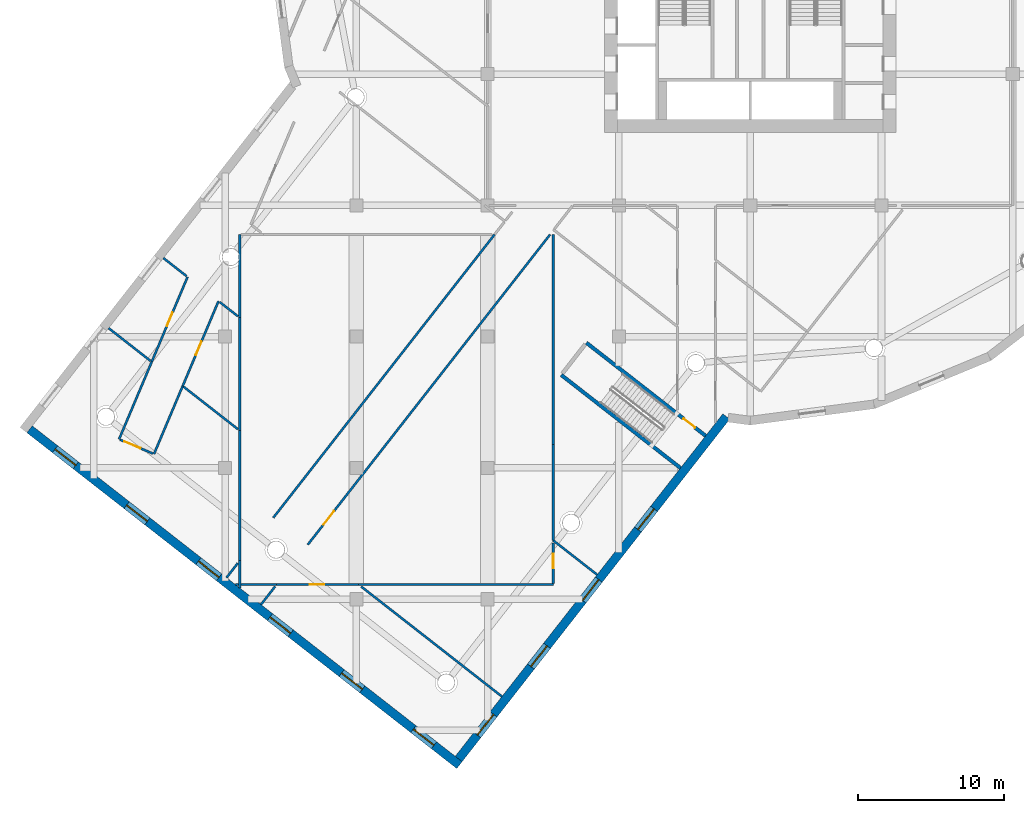
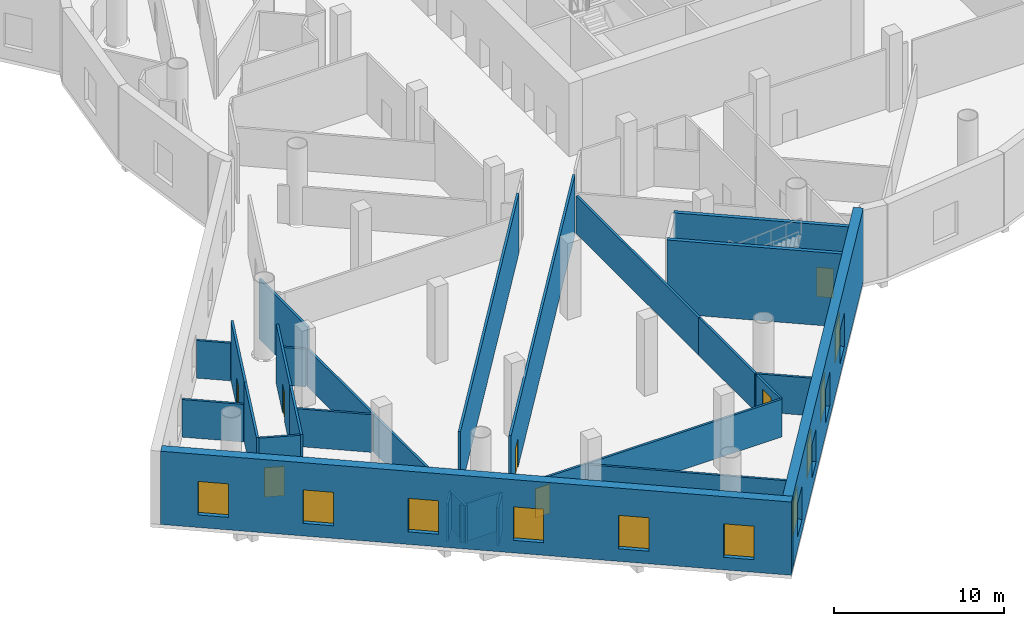
# One storey, part 4 of 23: 29 walls, 10 windows, 7 doors, 17 openings.
"""IFC4 building model written with IfcOpenShell, lengths in metres."""

import ifcopenshell
import ifcopenshell.guid

model = None  # the IFC model being written
_history = None  # IfcOwnerHistory: only IFC2X3 demands one
_inside = {}  # id of a spatial element -> (the spatial element, [elements in it])
_under = {}  # id of a project, library or spatial element -> (it, [spatial elements below it])
_declared = {}  # id of a project -> (the project, [libraries it declares])
_typed = {}  # id of a type object -> (the type object, [elements of that type])
_made_of = {}  # id of a material, layer set ... -> (it, [elements and type objects made of it])


def new_model(schema):
    """Start an empty IFC model of exactly this schema.

    Asked for "IFC4X3", IfcOpenShell would pick the latest addendum, in which some entities
    have other attributes; the version numbers below select the first issue.
    IFC2X3 requires an IfcOwnerHistory on every rooted entity: one is made here for all.
    """
    global model, _history
    if schema == "IFC4X3":
        model = ifcopenshell.file(schema_version=(4, 3, 0, 0))
    else:
        model = ifcopenshell.file(schema=schema)
    _inside.clear()
    _under.clear()
    _declared.clear()
    _typed.clear()
    _made_of.clear()
    _history = None
    if model.schema == "IFC2X3":
        org = make("IfcOrganization", Name="unknown")
        user = make(
            "IfcPersonAndOrganization",
            ThePerson=make("IfcPerson", FamilyName="unknown"),
            TheOrganization=org,
        )
        app = make(
            "IfcApplication",
            ApplicationDeveloper=org,
            Version="unknown",
            ApplicationFullName="unknown",
            ApplicationIdentifier="unknown",
        )
        _history = make(
            "IfcOwnerHistory",
            OwningUser=user,
            OwningApplication=app,
            ChangeAction="ADDED",
            CreationDate=0,
        )
    return model


def make(cls, **values):
    """One entity of the class cls with the attributes given. An attribute that is None is left unset."""
    return model.create_entity(
        cls, **{name: value for name, value in values.items() if value is not None}
    )


def rooted(cls, **values):
    """An entity with a GlobalId (a new one), such as an element, a storey or a relation."""
    return make(cls, GlobalId=ifcopenshell.guid.new(), OwnerHistory=_history, **values)


def si_unit(unit_type, name, prefix=None):
    """IfcSIUnit, for example si_unit("LENGTHUNIT", "METRE", prefix="MILLI")."""
    return make("IfcSIUnit", UnitType=unit_type, Prefix=prefix, Name=name)


def assignment(units):
    """IfcUnitAssignment: the units of a project."""
    return None if units is None else make("IfcUnitAssignment", Units=units)


def point(xyz):
    """IfcCartesianPoint."""
    return None if xyz is None else make("IfcCartesianPoint", Coordinates=xyz)


def direction(xyz):
    """IfcDirection."""
    return None if xyz is None else make("IfcDirection", DirectionRatios=xyz)


def frame(location, z_axis=None, x_axis=None):
    """IfcAxis2Placement3D, a coordinate frame: its origin and axes. An axis left out is left unset."""
    return make(
        "IfcAxis2Placement3D",
        Location=point(location),
        Axis=direction(z_axis),
        RefDirection=direction(x_axis),
    )


def frame_2d(location, x_axis=None):
    """IfcAxis2Placement2D, a coordinate frame in the plane: its origin and x axis."""
    return make(
        "IfcAxis2Placement2D", Location=point(location), RefDirection=direction(x_axis)
    )


def origin():
    """The frame at (0, 0, 0) with its axes left unset."""
    return frame((0.0, 0.0, 0.0))


def place(relative_to, where):
    """IfcLocalPlacement: puts the frame where relative to a parent placement (None: the world)."""
    return make(
        "IfcLocalPlacement", PlacementRelTo=relative_to, RelativePlacement=where
    )


def context(
    kind, dimensions, precision=None, world=None, true_north=None, identifier=None
):
    """IfcGeometricRepresentationContext, for example the 3D "Model" context."""
    return make(
        "IfcGeometricRepresentationContext",
        ContextIdentifier=identifier,
        ContextType=kind,
        CoordinateSpaceDimension=dimensions,
        Precision=precision,
        WorldCoordinateSystem=world,
        TrueNorth=true_north,
    )


def subcontext(parent, identifier, kind, view, scale=None):
    """IfcGeometricRepresentationSubContext, for example "Body" below "Model"."""
    return make(
        "IfcGeometricRepresentationSubContext",
        ContextIdentifier=identifier,
        ContextType=kind,
        ParentContext=parent,
        TargetScale=scale,
        TargetView=view,
    )


def project(units=None, contexts=None):
    """IfcProject with its units and contexts."""
    return rooted(
        "IfcProject",
        Name="project",
        RepresentationContexts=contexts,
        UnitsInContext=assignment(units),
    )


def spatial(cls, under=None, at=None, **own):
    """A site, building, storey or space (cls), placed at a placement, below another one or the project."""
    s = rooted(cls, ObjectPlacement=at, **own)
    if under is not None:
        _under.setdefault(under.id(), (under, []))[1].append(s)
    return s


def profile(cls, at=None, kind="AREA", **sizes):
    """A parametric profile (cls). Its sizes go by their IFC names, for example OverallWidth=200.0."""
    return make(cls, ProfileType=kind, Position=at, **sizes)


def rectangle(**sizes):
    """IfcRectangleProfileDef."""
    return profile("IfcRectangleProfileDef", **sizes)


def extrude(swept, where, along, depth):
    """IfcExtrudedAreaSolid: the profile swept, set in the frame where, extruded along a direction by depth."""
    return make(
        "IfcExtrudedAreaSolid",
        SweptArea=swept,
        Position=where,
        ExtrudedDirection=direction(along),
        Depth=depth,
    )


def shape(context_of_items, identifier, shape_type, items):
    """IfcShapeRepresentation: the items that make up one representation, for example the "Body"."""
    return make(
        "IfcShapeRepresentation",
        ContextOfItems=context_of_items,
        RepresentationIdentifier=identifier,
        RepresentationType=shape_type,
        Items=items,
    )


def material(Name=None, Category=None):
    """IfcMaterial."""
    return make("IfcMaterial", Name=Name, Category=Category)


def layer(
    of_material, thickness, ventilated=None, Name=None, Category=None, Priority=None
):
    """IfcMaterialLayer: one layer of a wall or slab, of a material (None: an air gap)."""
    return make(
        "IfcMaterialLayer",
        Material=of_material,
        LayerThickness=thickness,
        IsVentilated=ventilated,
        Name=Name,
        Category=Category,
        Priority=Priority,
    )


def layer_set(layers, Name=None):
    """IfcMaterialLayerSet."""
    return make("IfcMaterialLayerSet", MaterialLayers=layers, LayerSetName=Name)


def made_of(thing, what):
    """Note that an element or type object is made of a material, layer set ...; save() writes the relation."""
    if what is not None:
        _made_of.setdefault(what.id(), (what, []))[1].append(thing)
    return thing


def type_object(cls, material=None, **own):
    """A type object (cls), such as IfcWallType, which elements share."""
    return made_of(rooted(cls, **own), material)


def element(
    cls,
    number,
    at=None,
    inside=None,
    cuts=None,
    type_object=None,
    material=None,
    context=None,
    identifier="Body",
    shape_type=None,
    held_by="IfcProductDefinitionShape",
    body=None,
    shapes=None,
    **own,
):
    """One element of the class cls, such as IfcWall. Its Tag is "e" and its number.

    at: its placement. inside: the storey or other place that contains it. cuts: it is an
    opening in that element (IfcRelVoidsElement). A single representation is given by context,
    identifier, shape_type and body (its items); several are given by shapes. held_by: the class
    of the entity that holds the representations. save() writes the other relations.
    """
    e = rooted(cls, Tag="e%d" % number, ObjectPlacement=at, **own)
    if body is not None:
        shapes = [shape(context, identifier, shape_type, body)]
    if shapes is not None:
        e.Representation = make(held_by, Representations=shapes)
    if inside is not None:
        _inside.setdefault(inside.id(), (inside, []))[1].append(e)
    if cuts is not None:
        rooted(
            "IfcRelVoidsElement", RelatingBuildingElement=cuts, RelatedOpeningElement=e
        )
    if type_object is not None:
        _typed.setdefault(type_object.id(), (type_object, []))[1].append(e)
    return made_of(e, material)


def fill(opening, filler):
    """IfcRelFillsElement: the door or window that sits in an opening."""
    return rooted(
        "IfcRelFillsElement",
        RelatingOpeningElement=opening,
        RelatedBuildingElement=filler,
    )


def aggregate(whole, parts):
    """IfcRelAggregates: a whole, such as a stair, and the parts it consists of."""
    return rooted("IfcRelAggregates", RelatingObject=whole, RelatedObjects=parts)


def save(model, path):
    """Write the relations noted so far, then the file.

    IfcRelAggregates (storeys below a building ...), IfcRelContainedInSpatialStructure (elements
    in a storey), IfcRelDefinesByType, IfcRelAssociatesMaterial and IfcRelDeclares: one each for
    every whole, place, type object, material and project.
    """
    for whole, parts in _under.values():
        aggregate(whole, parts)
    for where, things in _inside.values():
        rooted(
            "IfcRelContainedInSpatialStructure",
            RelatedElements=things,
            RelatingStructure=where,
        )
    for kind, things in _typed.values():
        rooted("IfcRelDefinesByType", RelatedObjects=things, RelatingType=kind)
    for what, things in _made_of.values():
        rooted("IfcRelAssociatesMaterial", RelatedObjects=things, RelatingMaterial=what)
    for by, libraries in _declared.values():
        rooted("IfcRelDeclares", RelatingContext=by, RelatedDefinitions=libraries)
    model.write(path)


model = new_model("IFC4")

# Units and contexts
model_context = context("Model", 3, precision=1e-05, world=origin(), true_north=direction((0.0, 1.0)))
body_context = subcontext(model_context, "Body", "Model", "MODEL_VIEW")
ifc_project = project(units=[si_unit("LENGTHUNIT", "METRE"), si_unit("AREAUNIT", "SQUARE_METRE"), si_unit("VOLUMEUNIT", "CUBIC_METRE"), si_unit("PLANEANGLEUNIT", "RADIAN"), si_unit("MASSUNIT", "GRAM", prefix="KILO")], contexts=[model_context])

# Site, building, storey
site_placement = place(None, origin())
site = spatial("IfcSite", under=ifc_project, at=site_placement, CompositionType="ELEMENT")
building_placement = place(site_placement, origin())
building = spatial("IfcBuilding", under=site, at=building_placement, Name="Tarsis Ring Headquarters", CompositionType="ELEMENT")
storey_placement = place(building_placement, frame((0.0, 0.0, 14.0)))
storey = spatial("IfcBuildingStorey", under=building, at=storey_placement, Name="L02", CompositionType="ELEMENT", Elevation=14.0)

# Walls
ifc_material_1 = material(Name="Plasterboard partition")
ifc_layer_1 = layer(ifc_material_1, 0.14990234375)
ifc_layer_set_1 = layer_set([ifc_layer_1], Name="PO-PW150")
wall_type_1 = type_object("IfcWallType", Name="PO-PW150", PredefinedType="PARTITIONING", material=ifc_layer_set_1)
wall_1_placement = place(storey_placement, frame((-13.5, -34.38720703125, 0.0), z_axis=(0.0, 0.0, 1.0), x_axis=(0.0, 1.0, 0.0)))
element("IfcWall", 1, at=wall_1_placement, inside=storey, type_object=wall_type_1, Name="L02 partition wall 9", PredefinedType="PARTITIONING", context=body_context, shape_type="SweptSolid", body=[
    extrude(rectangle(XDim=14.38720703125, YDim=0.14990234375, at=frame_2d((7.193603515625, 0.0))), origin(), (0.0, 0.0, 1.0), 2.699951171875),
])
wall_2_placement = place(storey_placement, frame((-26.84521484375, -44.0, 0.0), z_axis=(0.0, 0.0, 1.0), x_axis=(1.0, 0.0, 0.0)))
element("IfcWall", 2, at=wall_2_placement, inside=storey, type_object=wall_type_1, Name="L02 partition wall 12", PredefinedType="PARTITIONING", context=body_context, shape_type="SweptSolid", body=[
    extrude(rectangle(XDim=13.34521484375, YDim=0.14990234375, at=frame_2d((6.672607421875, 0.0))), origin(), (0.0, 0.0, 1.0), 2.699951171875),
])
wall_3_placement = place(storey_placement, frame((-26.671875, -44.135498046875, 0.0), z_axis=(0.0, 0.0, 1.0), x_axis=(0.788015910121, -0.615654875231, 0.0)))
element("IfcWall", 3, at=wall_3_placement, inside=storey, type_object=wall_type_1, Name="L02 partition wall 17", PredefinedType="PARTITIONING", context=body_context, shape_type="SweptSolid", body=[
    extrude(rectangle(XDim=12.2451171875, YDim=0.14990234375, at=frame_2d((6.12255859375, 0.0))), origin(), (0.0, 0.0, 1.0), 2.699951171875),
])
wall_4_placement = place(storey_placement, frame((-35.0, -33.44091796875, 0.0), z_axis=(0.0, 0.0, 1.0), x_axis=(0.0, -1.0, 0.0)))
element("IfcWall", 4, at=wall_4_placement, inside=storey, type_object=wall_type_1, Name="L02 partition wall 36", PredefinedType="PARTITIONING", context=body_context, shape_type="SweptSolid", body=[
    extrude(rectangle(XDim=8.920654296875, YDim=0.14990234375, at=frame_2d((4.46044921875, 0.0))), origin(), (0.0, 0.0, 1.0), 2.699951171875),
])
wall_5_placement = place(storey_placement, frame((-35.0, -25.699951171875, 0.0), z_axis=(0.0, 0.0, 1.0), x_axis=(0.0, -1.0, 0.0)))
element("IfcWall", 5, at=wall_5_placement, inside=storey, type_object=wall_type_1, Name="L02 partition wall 47", PredefinedType="PARTITIONING", context=body_context, shape_type="SweptSolid", body=[
    extrude(rectangle(XDim=7.740966796875, YDim=0.14990234375, at=frame_2d((3.87060546875, 0.0))), origin(), (0.0, 0.0, 1.0), 2.699951171875),
])
wall_6_placement = place(storey_placement, frame((-13.5, -40.974853515625, 0.0), z_axis=(0.0, 0.0, 1.0), x_axis=(0.0, 1.0, 0.0)))
element("IfcWall", 6, at=wall_6_placement, inside=storey, type_object=wall_type_1, Name="L02 partition wall 55", PredefinedType="PARTITIONING", context=body_context, shape_type="SweptSolid", body=[
    extrude(rectangle(XDim=6.587646484375, YDim=0.14990234375, at=frame_2d((3.2939453125, 0.0))), origin(), (0.0, 0.0, 1.0), 2.699951171875),
])

# Wall, opening, door
wall_7_placement = place(storey_placement, frame((-32.47314453125, -44.0, 0.0), z_axis=(0.0, 0.0, 1.0), x_axis=(1.0, 0.0, 0.0)))
wall_7 = element("IfcWall", 7, at=wall_7_placement, inside=storey, type_object=wall_type_1, Name="L02 partition wall 68", PredefinedType="PARTITIONING", context=body_context, shape_type="SweptSolid", body=[
    extrude(rectangle(XDim=5.6279296875, YDim=0.14990234375, at=frame_2d((2.81396484375, 0.0))), origin(), (0.0, 0.0, 1.0), 2.699951171875),
])
opening_1_placement = place(wall_7_placement, frame((2.2578125, 0.0, 0.0)))
opening_1 = element("IfcOpeningElement", 8, at=opening_1_placement, cuts=wall_7, Name="Opening PO-D1A", PredefinedType="OPENING", context=body_context, shape_type="SweptSolid", body=[
    extrude(rectangle(XDim=1.0, YDim=2.10009765625, at=frame_2d((0.5, 1.050048828125))), frame((0.0, 0.0849609375, 0.0), z_axis=(0.0, -1.0, 0.0), x_axis=(1.0, 0.0, 0.0)), (0.0, 0.0, 1.0), 0.169921875),
])
ifc_material_2 = material(Name="Timber door", Category="wood")
door_type_1 = type_object("IfcDoorType", Name="PO-D1000-UNRATED", OperationType="NOTDEFINED", PredefinedType="DOOR", material=ifc_material_2)
door_1_placement = place(opening_1_placement, origin())
door_1 = element("IfcDoor", 9, at=door_1_placement, inside=storey, type_object=door_type_1, Name="Cloakroom door", OperationType="SINGLE_SWING_RIGHT", OverallHeight=2.10009765625, OverallWidth=1.0, PredefinedType="DOOR", context=body_context, shape_type="SweptSolid", body=[
    extrude(rectangle(XDim=1.0, YDim=2.10009765625, at=frame_2d((0.5, 1.050048828125))), frame((0.0, 0.02490234375, 0.0), z_axis=(0.0, -1.0, 0.0), x_axis=(1.0, 0.0, 0.0)), (0.0, 0.0, 1.0), 0.050048828125),
])
fill(opening_1, door_1)

# Walls
wall_8_placement = place(storey_placement, frame((-38.847900390625, -30.4345703125, 0.0), z_axis=(0.0, 0.0, 1.0), x_axis=(0.788003214818, -0.615671124414, 0.0)))
element("IfcWall", 10, at=wall_8_placement, inside=storey, type_object=wall_type_1, Name="L02 partition wall 75", PredefinedType="PARTITIONING", context=body_context, shape_type="SweptSolid", body=[
    extrude(rectangle(XDim=4.72314453125, YDim=0.14990234375, at=frame_2d((2.361572265625, 0.0))), origin(), (0.0, 0.0, 1.0), 2.699951171875),
])
wall_9_placement = place(storey_placement, frame((-13.5, -40.974853515625, 0.0), z_axis=(0.0, 0.0, 1.0), x_axis=(0.788046708317, -0.615615452624, 0.0)))
element("IfcWall", 11, at=wall_9_placement, inside=storey, type_object=wall_type_1, Name="L02 partition wall 94", PredefinedType="PARTITIONING", context=body_context, shape_type="SweptSolid", body=[
    extrude(rectangle(XDim=3.8115234375, YDim=0.14990234375, at=frame_2d((1.90576171875, 0.0))), origin(), (0.0, 0.0, 1.0), 2.699951171875),
])
wall_10_placement = place(storey_placement, frame((-43.989501953125, -26.41748046875, 0.0), z_axis=(0.0, 0.0, 1.0), x_axis=(0.787985854962, -0.615693342809, 0.0)))
element("IfcWall", 12, at=wall_10_placement, inside=storey, type_object=wall_type_1, Name="L02 partition wall 95", PredefinedType="PARTITIONING", context=body_context, shape_type="SweptSolid", body=[
    extrude(rectangle(XDim=3.651611328125, YDim=0.14990234375, at=frame_2d((1.82568359375, 0.0))), origin(), (0.0, 0.0, 1.0), 2.699951171875),
])

# Wall, opening, door
wall_11_placement = place(storey_placement, frame((-13.5, -43.919921875, 0.0), z_axis=(0.0, 0.0, 1.0), x_axis=(0.0, 1.0, 0.0)))
wall_11 = element("IfcWall", 13, at=wall_11_placement, inside=storey, type_object=wall_type_1, Name="L02 partition wall 98", PredefinedType="PARTITIONING", context=body_context, shape_type="SweptSolid", body=[
    extrude(rectangle(XDim=2.78515625, YDim=0.14990234375, at=frame_2d((1.392578125, 0.0))), origin(), (0.0, 0.0, 1.0), 2.699951171875),
])
opening_2_placement = place(wall_11_placement, frame((1.046630859375, 0.0, 0.0)))
opening_2 = element("IfcOpeningElement", 14, at=opening_2_placement, cuts=wall_11, Name="Opening PO-D1A", PredefinedType="OPENING", context=body_context, shape_type="SweptSolid", body=[
    extrude(rectangle(XDim=1.0, YDim=2.10009765625, at=frame_2d((0.5, 1.050048828125))), frame((0.0, 0.0849609375, 0.0), z_axis=(0.0, -1.0, 0.0), x_axis=(1.0, 0.0, 0.0)), (0.0, 0.0, 1.0), 0.169921875),
])
door_2_placement = place(opening_2_placement, origin())
door_2 = element("IfcDoor", 15, at=door_2_placement, inside=storey, type_object=door_type_1, Name="Conference foyer door", OperationType="SINGLE_SWING_LEFT", OverallHeight=2.10009765625, OverallWidth=1.0, PredefinedType="DOOR", context=body_context, shape_type="SweptSolid", body=[
    extrude(rectangle(XDim=1.0, YDim=2.10009765625, at=frame_2d((0.5, 1.050048828125))), frame((0.0, 0.02490234375, 0.0), z_axis=(0.0, -1.0, 0.0), x_axis=(1.0, 0.0, 0.0)), (0.0, 0.0, 1.0), 0.050048828125),
])
fill(opening_2, door_2)

# Walls
wall_12_placement = place(storey_placement, frame((-35.291259765625, -44.0, 0.0), z_axis=(0.0, 0.0, 1.0), x_axis=(1.0, 0.0, 0.0)))
element("IfcWall", 16, at=wall_12_placement, inside=storey, type_object=wall_type_1, Name="L02 partition wall 102", PredefinedType="PARTITIONING", context=body_context, shape_type="SweptSolid", body=[
    extrude(rectangle(XDim=2.818115234375, YDim=0.14990234375, at=frame_2d((1.4091796875, 0.0))), origin(), (0.0, 0.0, 1.0), 2.699951171875),
])
wall_13_placement = place(storey_placement, frame((-38.639892578125, -22.856201171875, 0.0), z_axis=(0.0, 0.0, 1.0), x_axis=(-0.787998760084, 0.615676826026, 0.0)))
element("IfcWall", 17, at=wall_13_placement, inside=storey, type_object=wall_type_1, Name="L02 partition wall 121", PredefinedType="PARTITIONING", context=body_context, shape_type="SweptSolid", body=[
    extrude(rectangle(XDim=2.023193359375, YDim=0.14990234375, at=frame_2d((1.01171875, 0.0))), origin(), (0.0, 0.0, 1.0), 2.699951171875),
])
wall_14_placement = place(storey_placement, frame((-35.0, -42.361572265625, 0.0), z_axis=(0.0, 0.0, 1.0), x_axis=(0.0, -1.0, 0.0)))
element("IfcWall", 18, at=wall_14_placement, inside=storey, type_object=wall_type_1, Name="L02 partition wall 131", PredefinedType="PARTITIONING", context=body_context, shape_type="SweptSolid", body=[
    extrude(rectangle(XDim=1.865966796875, YDim=0.14990234375, at=frame_2d((0.93310546875, 0.0))), origin(), (0.0, 0.0, 1.0), 2.699951171875),
])
wall_15_placement = place(storey_placement, frame((-35.1259765625, -25.6015625, 0.0), z_axis=(0.0, 0.0, 1.0), x_axis=(-0.788040710771, 0.615623129981, 0.0)))
element("IfcWall", 19, at=wall_15_placement, inside=storey, type_object=wall_type_1, Name="L02 partition wall 132", PredefinedType="PARTITIONING", context=body_context, shape_type="SweptSolid", body=[
    extrude(rectangle(XDim=1.5859375, YDim=0.14990234375, at=frame_2d((0.79296875, 0.0))), origin(), (0.0, 0.0, 1.0), 2.699951171875),
])
wall_16_placement = place(storey_placement, frame((-32.571533203125, -44.1259765625, 0.0), z_axis=(0.0, 0.0, 1.0), x_axis=(-0.615656073358, -0.788014974057, 0.0)))
element("IfcWall", 20, at=wall_16_placement, inside=storey, type_object=wall_type_1, Name="L02 partition wall 136", PredefinedType="PARTITIONING", context=body_context, shape_type="SweptSolid", body=[
    extrude(rectangle(XDim=1.5751953125, YDim=0.14990234375, at=frame_2d((0.78759765625, 0.0))), origin(), (0.0, 0.0, 1.0), 2.699951171875),
])
wall_17_placement = place(storey_placement, frame((-35.9052734375, -43.520263671875, 0.0), z_axis=(0.0, 0.0, 1.0), x_axis=(0.615628885868, 0.788036214197, 0.0)))
element("IfcWall", 21, at=wall_17_placement, inside=storey, type_object=wall_type_1, Name="L02 partition wall 146", PredefinedType="PARTITIONING", context=body_context, shape_type="SweptSolid", body=[
    extrude(rectangle(XDim=1.25048828125, YDim=0.14990234375, at=frame_2d((0.625244140625, 0.0))), origin(), (0.0, 0.0, 1.0), 2.699951171875),
])

# Wall, opening, door
ifc_layer_2 = layer(ifc_material_1, 0.14990234375)
ifc_layer_set_2 = layer_set([ifc_layer_2], Name="PO-PW150R-4283")
wall_type_2 = type_object("IfcWallType", Name="PO-PW150R-4283", PredefinedType="PARTITIONING", material=ifc_layer_set_2)
wall_18_placement = place(storey_placement, frame((-13.72216796875, -20.0, 0.0), z_axis=(0.0, 0.0, 1.0), x_axis=(-0.61565843809, -0.788013126546, 0.0)))
wall_18 = element("IfcWall", 22, at=wall_18_placement, inside=storey, type_object=wall_type_2, Name="L02 partition wall 1", PredefinedType="PARTITIONING", context=body_context, shape_type="SweptSolid", body=[
    extrude(rectangle(XDim=26.98583984375, YDim=0.14990234375, at=frame_2d((13.492919921875, 0.0))), origin(), (0.0, 0.0, 1.0), 4.282958984375),
])
opening_3_placement = place(wall_18_placement, frame((24.048583984375, 0.0, 0.0)))
opening_3 = element("IfcOpeningElement", 23, at=opening_3_placement, cuts=wall_18, Name="Opening PO-D2", PredefinedType="OPENING", context=body_context, shape_type="SweptSolid", body=[
    extrude(rectangle(XDim=1.199951171875, YDim=2.10009765625, at=frame_2d((0.60009765625, 1.050048828125))), frame((0.0, 0.0849609375, 0.0), z_axis=(0.0, -1.0, 0.0), x_axis=(1.0, 0.0, 0.0)), (0.0, 0.0, 1.0), 0.169921875),
])
door_type_2 = type_object("IfcDoorType", Name="PO-D1200", OperationType="NOTDEFINED", PredefinedType="DOOR", material=ifc_material_2)
door_3_placement = place(opening_3_placement, origin())
door_3 = element("IfcDoor", 24, at=door_3_placement, inside=storey, type_object=door_type_2, Name="Hall roof plant and rigging gallery door", OperationType="SINGLE_SWING_RIGHT", OverallHeight=2.10009765625, OverallWidth=1.199951171875, PredefinedType="DOOR", context=body_context, shape_type="SweptSolid", body=[
    extrude(rectangle(XDim=1.199951171875, YDim=2.10009765625, at=frame_2d((0.60009765625, 1.050048828125))), frame((0.0, 0.02490234375, 0.0), z_axis=(0.0, -1.0, 0.0), x_axis=(1.0, 0.0, 0.0)), (0.0, 0.0, 1.0), 0.050048828125),
])
fill(opening_3, door_3)

# Wall
wall_19_placement = place(storey_placement, frame((-32.698974609375, -39.41650390625, 0.0), z_axis=(0.0, 0.0, 1.0), x_axis=(0.615657501423, 0.788013858344, 0.0)))
element("IfcWall", 25, at=wall_19_placement, inside=storey, type_object=wall_type_2, Name="L02 partition wall 2", PredefinedType="PARTITIONING", context=body_context, shape_type="SweptSolid", body=[
    extrude(rectangle(XDim=24.639892578125, YDim=0.14990234375, at=frame_2d((12.31982421875, 0.0))), origin(), (0.0, 0.0, 1.0), 4.282958984375),
])

# Wall, opening, door
wall_20_placement = place(storey_placement, frame((-36.45458984375, -24.5634765625, 0.0), z_axis=(0.0, 0.0, 1.0), x_axis=(-0.388732280045, -0.921350755387, 0.0)))
wall_20 = element("IfcWall", 26, at=wall_20_placement, inside=storey, type_object=wall_type_2, Name="L02 partition wall 58", PredefinedType="PARTITIONING", context=body_context, shape_type="SweptSolid", body=[
    extrude(rectangle(XDim=6.31884765625, YDim=0.14990234375, at=frame_2d((3.159423828125, 0.0))), origin(), (0.0, 0.0, 1.0), 4.282958984375),
])
opening_4_placement = place(wall_20_placement, frame((3.0, 0.0, 0.0)))
opening_4 = element("IfcOpeningElement", 27, at=opening_4_placement, cuts=wall_20, Name="Opening PO-D1", PredefinedType="OPENING", context=body_context, shape_type="SweptSolid", body=[
    extrude(rectangle(XDim=1.0, YDim=2.10009765625, at=frame_2d((0.5, 1.050048828125))), frame((0.0, 0.0849609375, 0.0), z_axis=(0.0, -1.0, 0.0), x_axis=(1.0, 0.0, 0.0)), (0.0, 0.0, 1.0), 0.169921875),
])
door_type_3 = type_object("IfcDoorType", Name="PO-D1000", OperationType="NOTDEFINED", PredefinedType="DOOR", material=ifc_material_2)
door_4_placement = place(opening_4_placement, origin())
door_4 = element("IfcDoor", 28, at=door_4_placement, inside=storey, type_object=door_type_3, Name="Cloakroom door", OperationType="SINGLE_SWING_RIGHT", OverallHeight=2.10009765625, OverallWidth=1.0, PredefinedType="DOOR", context=body_context, shape_type="SweptSolid", body=[
    extrude(rectangle(XDim=1.0, YDim=2.10009765625, at=frame_2d((0.5, 1.050048828125))), frame((0.0, 0.02490234375, 0.0), z_axis=(0.0, -1.0, 0.0), x_axis=(1.0, 0.0, 0.0)), (0.0, 0.0, 1.0), 0.050048828125),
])
fill(opening_4, door_4)

wall_21_placement = place(storey_placement, frame((-41.033447265625, -28.727294921875, 0.0), z_axis=(0.0, 0.0, 1.0), x_axis=(0.388765078219, 0.921336916637, 0.0)))
wall_21 = element("IfcWall", 29, at=wall_21_placement, inside=storey, type_object=wall_type_2, Name="L02 partition wall 59", PredefinedType="PARTITIONING", context=body_context, shape_type="SweptSolid", body=[
    extrude(rectangle(XDim=6.31884765625, YDim=0.14990234375, at=frame_2d((3.159423828125, 0.0))), origin(), (0.0, 0.0, 1.0), 4.282958984375),
])
opening_5_placement = place(wall_21_placement, frame((2.667236328125, 0.0, 0.0)))
opening_5 = element("IfcOpeningElement", 30, at=opening_5_placement, cuts=wall_21, Name="Opening PO-D1", PredefinedType="OPENING", context=body_context, shape_type="SweptSolid", body=[
    extrude(rectangle(XDim=1.0, YDim=2.10009765625, at=frame_2d((0.5, 1.050048828125))), frame((0.0, 0.0849609375, 0.0), z_axis=(0.0, -1.0, 0.0), x_axis=(1.0, 0.0, 0.0)), (0.0, 0.0, 1.0), 0.169921875),
])
door_5_placement = place(opening_5_placement, origin())
door_5 = element("IfcDoor", 31, at=door_5_placement, inside=storey, type_object=door_type_3, Name="Cloakroom door", OperationType="SINGLE_SWING_LEFT", OverallHeight=2.10009765625, OverallWidth=1.0, PredefinedType="DOOR", context=body_context, shape_type="SweptSolid", body=[
    extrude(rectangle(XDim=1.0, YDim=2.10009765625, at=frame_2d((0.5, 1.050048828125))), frame((0.0, 0.02490234375, 0.0), z_axis=(0.0, -1.0, 0.0), x_axis=(1.0, 0.0, 0.0)), (0.0, 0.0, 1.0), 0.050048828125),
])
fill(opening_5, door_5)

# Walls
wall_22_placement = place(storey_placement, frame((-43.27392578125, -34.03759765625, 0.0), z_axis=(0.0, 0.0, 1.0), x_axis=(0.388729160138, 0.921352071718, 0.0)))
element("IfcWall", 32, at=wall_22_placement, inside=storey, type_object=wall_type_2, Name="L02 partition wall 64", PredefinedType="PARTITIONING", context=body_context, shape_type="SweptSolid", body=[
    extrude(rectangle(XDim=5.763671875, YDim=0.14990234375, at=frame_2d((2.8818359375, 0.0))), origin(), (0.0, 0.0, 1.0), 4.282958984375),
])
wall_23_placement = place(storey_placement, frame((-35.0, -20.0, 0.0), z_axis=(0.0, 0.0, 1.0), x_axis=(0.0, -1.0, 0.0)))
element("IfcWall", 33, at=wall_23_placement, inside=storey, type_object=wall_type_2, Name="L02 partition wall 66", PredefinedType="PARTITIONING", context=body_context, shape_type="SweptSolid", body=[
    extrude(rectangle(XDim=5.699951171875, YDim=0.14990234375, at=frame_2d((2.85009765625, 0.0))), origin(), (0.0, 0.0, 1.0), 4.282958984375),
])
wall_24_placement = place(storey_placement, frame((-38.910888671875, -30.38525390625, 0.0), z_axis=(0.0, 0.0, 1.0), x_axis=(-0.388749132652, -0.921343644826, 0.0)))
element("IfcWall", 34, at=wall_24_placement, inside=storey, type_object=wall_type_2, Name="L02 partition wall 73", PredefinedType="PARTITIONING", context=body_context, shape_type="SweptSolid", body=[
    extrude(rectangle(XDim=5.061279296875, YDim=0.14990234375, at=frame_2d((2.53076171875, 0.0))), origin(), (0.0, 0.0, 1.0), 4.282958984375),
])

# Wall, opening, door
wall_25_placement = place(storey_placement, frame((-40.9521484375, -35.017333984375, 0.0), z_axis=(0.0, 0.0, 1.0), x_axis=(-0.921350722324, 0.388732358409, 0.0)))
wall_25 = element("IfcWall", 35, at=wall_25_placement, inside=storey, type_object=wall_type_2, Name="L02 partition wall 112", PredefinedType="PARTITIONING", context=body_context, shape_type="SweptSolid", body=[
    extrude(rectangle(XDim=2.43994140625, YDim=0.14990234375, at=frame_2d((1.219970703125, 0.0))), origin(), (0.0, 0.0, 1.0), 4.282958984375),
])
opening_6_placement = place(wall_25_placement, frame((0.926025390625, 0.0, 0.0)))
opening_6 = element("IfcOpeningElement", 36, at=opening_6_placement, cuts=wall_25, Name="Opening PO-D2", PredefinedType="OPENING", context=body_context, shape_type="SweptSolid", body=[
    extrude(rectangle(XDim=1.199951171875, YDim=2.10009765625, at=frame_2d((0.60009765625, 1.050048828125))), frame((0.0, 0.0849609375, 0.0), z_axis=(0.0, -1.0, 0.0), x_axis=(1.0, 0.0, 0.0)), (0.0, 0.0, 1.0), 0.169921875),
])
door_6_placement = place(opening_6_placement, origin())
door_6 = element("IfcDoor", 37, at=door_6_placement, inside=storey, type_object=door_type_2, Name="Exhibition hall door", OperationType="SINGLE_SWING_LEFT", OverallHeight=2.10009765625, OverallWidth=1.199951171875, PredefinedType="DOOR", context=body_context, shape_type="SweptSolid", body=[
    extrude(rectangle(XDim=1.199951171875, YDim=2.10009765625, at=frame_2d((0.60009765625, 1.050048828125))), frame((0.0, 0.02490234375, 0.0), z_axis=(0.0, -1.0, 0.0), x_axis=(1.0, 0.0, 0.0)), (0.0, 0.0, 1.0), 0.050048828125),
])
fill(opening_6, door_6)

ifc_material_3 = material(Name="Concrete C40/50", Category="concrete")
ifc_layer_3 = layer(ifc_material_3, 0.25)
ifc_layer_set_3 = layer_set([ifc_layer_3], Name="PO-W250")
wall_type_3 = type_object("IfcWallType", Name="PO-W250", PredefinedType="SOLIDWALL", material=ifc_layer_set_3)
wall_26_placement = place(storey_placement, frame((-11.23193359375, -27.41943359375, 0.0), z_axis=(0.0, 0.0, 1.0), x_axis=(0.788273447376, -0.615325094696, 0.0)))
wall_26 = element("IfcWall", 38, at=wall_26_placement, inside=storey, type_object=wall_type_3, Name="L02 shaft wall 23", PredefinedType="SOLIDWALL", context=body_context, shape_type="SweptSolid", body=[
    extrude(rectangle(XDim=10.369873046875, YDim=0.25, at=frame_2d((5.18505859375, 0.0))), origin(), (0.0, 0.0, 1.0), 5.25),
])
opening_7_placement = place(wall_26_placement, frame((8.465087890625, 0.0, 0.0)))
opening_7 = element("IfcOpeningElement", 39, at=opening_7_placement, cuts=wall_26, Name="Opening PO-D3", PredefinedType="OPENING", context=body_context, shape_type="SweptSolid", body=[
    extrude(rectangle(XDim=1.0, YDim=2.10009765625, at=frame_2d((0.5, 1.050048828125))), frame((0.0, 0.135009765625, 0.0), z_axis=(0.0, -1.0, 0.0), x_axis=(1.0, 0.0, 0.0)), (0.0, 0.0, 1.0), 0.27001953125),
])
ifc_material_4 = material(Name="Steel fire door", Category="steel")
door_type_4 = type_object("IfcDoorType", Name="PO-D1000F", OperationType="SINGLE_SWING_LEFT", PredefinedType="DOOR", material=ifc_material_4)
door_7_placement = place(opening_7_placement, origin())
door_7 = element("IfcDoor", 40, at=door_7_placement, inside=storey, type_object=door_type_4, Name="Exit stair 2 door", OperationType="SINGLE_SWING_LEFT", OverallHeight=2.10009765625, OverallWidth=1.0, PredefinedType="DOOR", context=body_context, shape_type="SweptSolid", body=[
    extrude(rectangle(XDim=1.0, YDim=2.10009765625, at=frame_2d((0.5, 1.050048828125))), frame((0.0, 0.02490234375, 0.0), z_axis=(0.0, -1.0, 0.0), x_axis=(1.0, 0.0, 0.0)), (0.0, 0.0, 1.0), 0.050048828125),
])
fill(opening_7, door_7)

# Wall
wall_27_placement = place(storey_placement, frame((-4.781494140625, -36.006591796875, 0.0), z_axis=(0.0, 0.0, 1.0), x_axis=(-0.788283470415, 0.615312254283, 0.0)))
element("IfcWall", 41, at=wall_27_placement, inside=storey, type_object=wall_type_3, Name="L02 shaft wall 25", PredefinedType="SOLIDWALL", context=body_context, shape_type="SweptSolid", body=[
    extrude(rectangle(XDim=10.368408203125, YDim=0.25, at=frame_2d((5.18408203125, 0.0))), origin(), (0.0, 0.0, 1.0), 5.25),
])

# Wall, openings, windows
ifc_material_5 = material(Name="Concrete C60/75", Category="concrete")
ifc_layer_4 = layer(ifc_material_5, 0.60009765625)
ifc_layer_set_4 = layer_set([ifc_layer_4], Name="PO-W600")
wall_type_4 = type_object("IfcWallType", Name="PO-W600", PredefinedType="SOLIDWALL", material=ifc_layer_set_4)
wall_28_placement = place(storey_placement, frame((-49.407470703125, -33.35205078125, 0.0), z_axis=(0.0, 0.0, 1.0), x_axis=(0.788012893483, -0.615658736399, 0.0)))
wall_28 = element("IfcWall", 42, at=wall_28_placement, inside=storey, type_object=wall_type_4, Name="L02 external wall 7", PredefinedType="SOLIDWALL", context=body_context, shape_type="SweptSolid", body=[
    extrude(rectangle(XDim=37.39990234375, YDim=0.60009765625, at=frame_2d((18.699951171875, 0.0))), origin(), (0.0, 0.0, 1.0), 5.25),
])
opening_8_placement = place(wall_28_placement, frame((2.216552734375, 0.0, 0.89990234375)))
opening_8 = element("IfcOpeningElement", 43, at=opening_8_placement, cuts=wall_28, Name="Opening PO-WN1", PredefinedType="OPENING", context=body_context, shape_type="SweptSolid", body=[
    extrude(rectangle(XDim=1.800048828125, YDim=2.39990234375, at=frame_2d((0.89990234375, 1.199951171875))), frame((0.0, 0.31005859375, 0.0), z_axis=(0.0, -1.0, 0.0), x_axis=(1.0, 0.0, 0.0)), (0.0, 0.0, 1.0), 0.6201171875),
])
opening_9_placement = place(wall_28_placement, frame((8.449951171875, 0.0, 0.89990234375)))
opening_9 = element("IfcOpeningElement", 44, at=opening_9_placement, cuts=wall_28, Name="Opening PO-WN1", PredefinedType="OPENING", context=body_context, shape_type="SweptSolid", body=[
    extrude(rectangle(XDim=1.800048828125, YDim=2.39990234375, at=frame_2d((0.89990234375, 1.199951171875))), frame((0.0, 0.31005859375, 0.0), z_axis=(0.0, -1.0, 0.0), x_axis=(1.0, 0.0, 0.0)), (0.0, 0.0, 1.0), 0.6201171875),
])
opening_10_placement = place(wall_28_placement, frame((14.683349609375, 0.0, 0.89990234375)))
opening_10 = element("IfcOpeningElement", 45, at=opening_10_placement, cuts=wall_28, Name="Opening PO-WN1", PredefinedType="OPENING", context=body_context, shape_type="SweptSolid", body=[
    extrude(rectangle(XDim=1.800048828125, YDim=2.39990234375, at=frame_2d((0.89990234375, 1.199951171875))), frame((0.0, 0.31005859375, 0.0), z_axis=(0.0, -1.0, 0.0), x_axis=(1.0, 0.0, 0.0)), (0.0, 0.0, 1.0), 0.6201171875),
])
opening_11_placement = place(wall_28_placement, frame((20.916748046875, 0.0, 0.89990234375)))
opening_11 = element("IfcOpeningElement", 46, at=opening_11_placement, cuts=wall_28, Name="Opening PO-WN1", PredefinedType="OPENING", context=body_context, shape_type="SweptSolid", body=[
    extrude(rectangle(XDim=1.800048828125, YDim=2.39990234375, at=frame_2d((0.89990234375, 1.199951171875))), frame((0.0, 0.31005859375, 0.0), z_axis=(0.0, -1.0, 0.0), x_axis=(1.0, 0.0, 0.0)), (0.0, 0.0, 1.0), 0.6201171875),
])
opening_12_placement = place(wall_28_placement, frame((27.14990234375, 0.0, 0.89990234375)))
opening_12 = element("IfcOpeningElement", 47, at=opening_12_placement, cuts=wall_28, Name="Opening PO-WN1", PredefinedType="OPENING", context=body_context, shape_type="SweptSolid", body=[
    extrude(rectangle(XDim=1.800048828125, YDim=2.39990234375, at=frame_2d((0.89990234375, 1.199951171875))), frame((0.0, 0.31005859375, 0.0), z_axis=(0.0, -1.0, 0.0), x_axis=(1.0, 0.0, 0.0)), (0.0, 0.0, 1.0), 0.6201171875),
])
opening_13_placement = place(wall_28_placement, frame((33.38330078125, 0.0, 0.89990234375)))
opening_13 = element("IfcOpeningElement", 48, at=opening_13_placement, cuts=wall_28, Name="Opening PO-WN1", PredefinedType="OPENING", context=body_context, shape_type="SweptSolid", body=[
    extrude(rectangle(XDim=1.800048828125, YDim=2.39990234375, at=frame_2d((0.89990234375, 1.199951171875))), frame((0.0, 0.31005859375, 0.0), z_axis=(0.0, -1.0, 0.0), x_axis=(1.0, 0.0, 0.0)), (0.0, 0.0, 1.0), 0.6201171875),
])
ifc_material_6 = material(Name="Double glazing", Category="glass")
window_type = type_object("IfcWindowType", Name="PO-WN1800", PartitioningType="SINGLE_PANEL", PredefinedType="WINDOW", material=ifc_material_6)
window_1_placement = place(opening_8_placement, origin())
window_1 = element("IfcWindow", 49, at=window_1_placement, inside=storey, type_object=window_type, Name="L02 window 7.1", OverallHeight=2.39990234375, OverallWidth=1.800048828125, PartitioningType="SINGLE_PANEL", PredefinedType="WINDOW", context=body_context, shape_type="SweptSolid", body=[
    extrude(rectangle(XDim=1.800048828125, YDim=2.39990234375, at=frame_2d((0.89990234375, 1.199951171875))), frame((0.0, 0.030029296875, 0.0), z_axis=(0.0, -1.0, 0.0), x_axis=(1.0, 0.0, 0.0)), (0.0, 0.0, 1.0), 0.06005859375),
])
fill(opening_8, window_1)
window_2_placement = place(opening_9_placement, origin())
window_2 = element("IfcWindow", 50, at=window_2_placement, inside=storey, type_object=window_type, Name="L02 window 7.2", OverallHeight=2.39990234375, OverallWidth=1.800048828125, PartitioningType="SINGLE_PANEL", PredefinedType="WINDOW", context=body_context, shape_type="SweptSolid", body=[
    extrude(rectangle(XDim=1.800048828125, YDim=2.39990234375, at=frame_2d((0.89990234375, 1.199951171875))), frame((0.0, 0.030029296875, 0.0), z_axis=(0.0, -1.0, 0.0), x_axis=(1.0, 0.0, 0.0)), (0.0, 0.0, 1.0), 0.06005859375),
])
fill(opening_9, window_2)
window_3_placement = place(opening_10_placement, origin())
window_3 = element("IfcWindow", 51, at=window_3_placement, inside=storey, type_object=window_type, Name="L02 window 7.3", OverallHeight=2.39990234375, OverallWidth=1.800048828125, PartitioningType="SINGLE_PANEL", PredefinedType="WINDOW", context=body_context, shape_type="SweptSolid", body=[
    extrude(rectangle(XDim=1.800048828125, YDim=2.39990234375, at=frame_2d((0.89990234375, 1.199951171875))), frame((0.0, 0.030029296875, 0.0), z_axis=(0.0, -1.0, 0.0), x_axis=(1.0, 0.0, 0.0)), (0.0, 0.0, 1.0), 0.06005859375),
])
fill(opening_10, window_3)
window_4_placement = place(opening_11_placement, origin())
window_4 = element("IfcWindow", 52, at=window_4_placement, inside=storey, type_object=window_type, Name="L02 window 7.4", OverallHeight=2.39990234375, OverallWidth=1.800048828125, PartitioningType="SINGLE_PANEL", PredefinedType="WINDOW", context=body_context, shape_type="SweptSolid", body=[
    extrude(rectangle(XDim=1.800048828125, YDim=2.39990234375, at=frame_2d((0.89990234375, 1.199951171875))), frame((0.0, 0.030029296875, 0.0), z_axis=(0.0, -1.0, 0.0), x_axis=(1.0, 0.0, 0.0)), (0.0, 0.0, 1.0), 0.06005859375),
])
fill(opening_11, window_4)
window_5_placement = place(opening_12_placement, origin())
window_5 = element("IfcWindow", 53, at=window_5_placement, inside=storey, type_object=window_type, Name="L02 window 7.5", OverallHeight=2.39990234375, OverallWidth=1.800048828125, PartitioningType="SINGLE_PANEL", PredefinedType="WINDOW", context=body_context, shape_type="SweptSolid", body=[
    extrude(rectangle(XDim=1.800048828125, YDim=2.39990234375, at=frame_2d((0.89990234375, 1.199951171875))), frame((0.0, 0.030029296875, 0.0), z_axis=(0.0, -1.0, 0.0), x_axis=(1.0, 0.0, 0.0)), (0.0, 0.0, 1.0), 0.06005859375),
])
fill(opening_12, window_5)
window_6_placement = place(opening_13_placement, origin())
window_6 = element("IfcWindow", 54, at=window_6_placement, inside=storey, type_object=window_type, Name="L02 window 7.6", OverallHeight=2.39990234375, OverallWidth=1.800048828125, PartitioningType="SINGLE_PANEL", PredefinedType="WINDOW", context=body_context, shape_type="SweptSolid", body=[
    extrude(rectangle(XDim=1.800048828125, YDim=2.39990234375, at=frame_2d((0.89990234375, 1.199951171875))), frame((0.0, 0.030029296875, 0.0), z_axis=(0.0, -1.0, 0.0), x_axis=(1.0, 0.0, 0.0)), (0.0, 0.0, 1.0), 0.06005859375),
])
fill(opening_13, window_6)

wall_29_placement = place(storey_placement, frame((-19.987548828125, -55.956787109375, 0.0), z_axis=(0.0, 0.0, 1.0), x_axis=(0.615659303268, 0.7880124506, 0.0)))
wall_29 = element("IfcWall", 55, at=wall_29_placement, inside=storey, type_object=wall_type_4, Name="L02 external wall 8", PredefinedType="SOLIDWALL", context=body_context, shape_type="SweptSolid", body=[
    extrude(rectangle(XDim=29.802001953125, YDim=0.60009765625, at=frame_2d((14.90087890625, 0.0))), origin(), (0.0, 0.0, 1.0), 5.25),
])
opening_14_placement = place(wall_29_placement, frame((2.080078125, 0.0, 0.89990234375)))
opening_14 = element("IfcOpeningElement", 56, at=opening_14_placement, cuts=wall_29, Name="Opening PO-WN1", PredefinedType="OPENING", context=body_context, shape_type="SweptSolid", body=[
    extrude(rectangle(XDim=1.800048828125, YDim=2.39990234375, at=frame_2d((0.89990234375, 1.199951171875))), frame((0.0, 0.31005859375, 0.0), z_axis=(0.0, -1.0, 0.0), x_axis=(1.0, 0.0, 0.0)), (0.0, 0.0, 1.0), 0.6201171875),
])
opening_15_placement = place(wall_29_placement, frame((8.04052734375, 0.0, 0.89990234375)))
opening_15 = element("IfcOpeningElement", 57, at=opening_15_placement, cuts=wall_29, Name="Opening PO-WN1", PredefinedType="OPENING", context=body_context, shape_type="SweptSolid", body=[
    extrude(rectangle(XDim=1.800048828125, YDim=2.39990234375, at=frame_2d((0.89990234375, 1.199951171875))), frame((0.0, 0.31005859375, 0.0), z_axis=(0.0, -1.0, 0.0), x_axis=(1.0, 0.0, 0.0)), (0.0, 0.0, 1.0), 0.6201171875),
])
opening_16_placement = place(wall_29_placement, frame((13.801025390625, 0.0, 0.89990234375)))
opening_16 = element("IfcOpeningElement", 58, at=opening_16_placement, cuts=wall_29, Name="Opening PO-WN1", PredefinedType="OPENING", context=body_context, shape_type="SweptSolid", body=[
    extrude(rectangle(XDim=1.800048828125, YDim=2.39990234375, at=frame_2d((0.89990234375, 1.199951171875))), frame((0.0, 0.31005859375, 0.0), z_axis=(0.0, -1.0, 0.0), x_axis=(1.0, 0.0, 0.0)), (0.0, 0.0, 1.0), 0.6201171875),
])
opening_17_placement = place(wall_29_placement, frame((19.96142578125, 0.0, 0.89990234375)))
opening_17 = element("IfcOpeningElement", 59, at=opening_17_placement, cuts=wall_29, Name="Opening PO-WN1", PredefinedType="OPENING", context=body_context, shape_type="SweptSolid", body=[
    extrude(rectangle(XDim=1.800048828125, YDim=2.39990234375, at=frame_2d((0.89990234375, 1.199951171875))), frame((0.0, 0.31005859375, 0.0), z_axis=(0.0, -1.0, 0.0), x_axis=(1.0, 0.0, 0.0)), (0.0, 0.0, 1.0), 0.6201171875),
])
window_7_placement = place(opening_14_placement, origin())
window_7 = element("IfcWindow", 60, at=window_7_placement, inside=storey, type_object=window_type, Name="L02 window 8.1", OverallHeight=2.39990234375, OverallWidth=1.800048828125, PartitioningType="SINGLE_PANEL", PredefinedType="WINDOW", context=body_context, shape_type="SweptSolid", body=[
    extrude(rectangle(XDim=1.800048828125, YDim=2.39990234375, at=frame_2d((0.89990234375, 1.199951171875))), frame((0.0, 0.030029296875, 0.0), z_axis=(0.0, -1.0, 0.0), x_axis=(1.0, 0.0, 0.0)), (0.0, 0.0, 1.0), 0.06005859375),
])
fill(opening_14, window_7)
window_8_placement = place(opening_15_placement, origin())
window_8 = element("IfcWindow", 61, at=window_8_placement, inside=storey, type_object=window_type, Name="L02 window 8.2", OverallHeight=2.39990234375, OverallWidth=1.800048828125, PartitioningType="SINGLE_PANEL", PredefinedType="WINDOW", context=body_context, shape_type="SweptSolid", body=[
    extrude(rectangle(XDim=1.800048828125, YDim=2.39990234375, at=frame_2d((0.89990234375, 1.199951171875))), frame((0.0, 0.030029296875, 0.0), z_axis=(0.0, -1.0, 0.0), x_axis=(1.0, 0.0, 0.0)), (0.0, 0.0, 1.0), 0.06005859375),
])
fill(opening_15, window_8)
window_9_placement = place(opening_16_placement, origin())
window_9 = element("IfcWindow", 62, at=window_9_placement, inside=storey, type_object=window_type, Name="L02 window 8.3", OverallHeight=2.39990234375, OverallWidth=1.800048828125, PartitioningType="SINGLE_PANEL", PredefinedType="WINDOW", context=body_context, shape_type="SweptSolid", body=[
    extrude(rectangle(XDim=1.800048828125, YDim=2.39990234375, at=frame_2d((0.89990234375, 1.199951171875))), frame((0.0, 0.030029296875, 0.0), z_axis=(0.0, -1.0, 0.0), x_axis=(1.0, 0.0, 0.0)), (0.0, 0.0, 1.0), 0.06005859375),
])
fill(opening_16, window_9)
window_10_placement = place(opening_17_placement, origin())
window_10 = element("IfcWindow", 63, at=window_10_placement, inside=storey, type_object=window_type, Name="L02 window 8.4", OverallHeight=2.39990234375, OverallWidth=1.800048828125, PartitioningType="SINGLE_PANEL", PredefinedType="WINDOW", context=body_context, shape_type="SweptSolid", body=[
    extrude(rectangle(XDim=1.800048828125, YDim=2.39990234375, at=frame_2d((0.89990234375, 1.199951171875))), frame((0.0, 0.030029296875, 0.0), z_axis=(0.0, -1.0, 0.0), x_axis=(1.0, 0.0, 0.0)), (0.0, 0.0, 1.0), 0.06005859375),
])
fill(opening_17, window_10)

save(model, "model.ifc")
